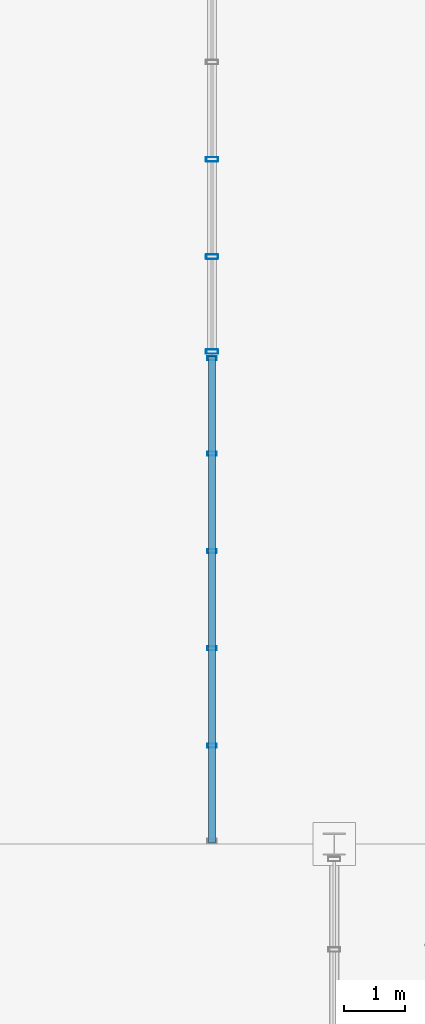
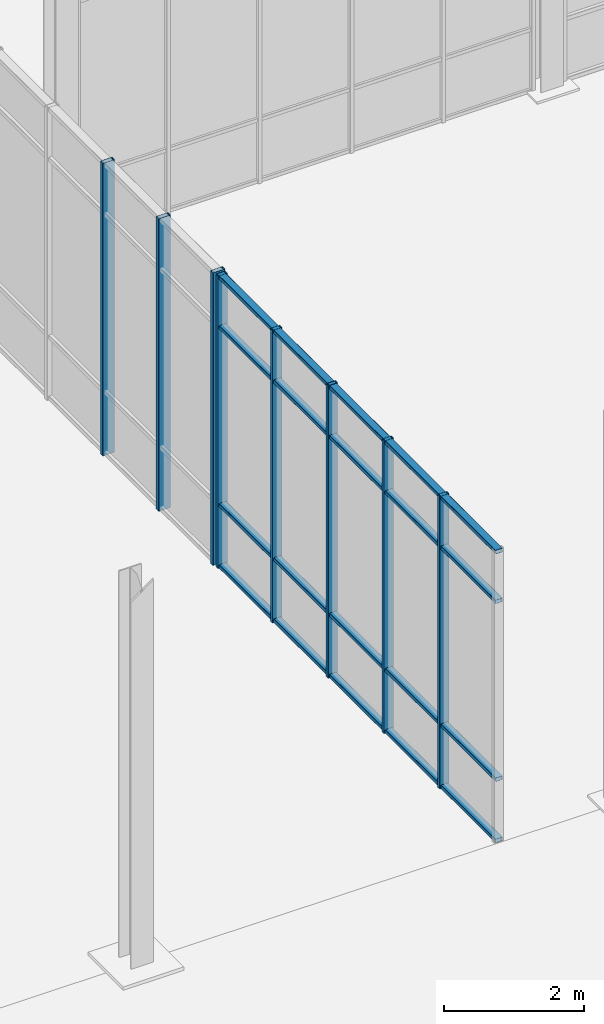
# One storey, part 62 of 140: 12 members, 2 elements without a shape of their own.
"""IFC4 building model written with IfcOpenShell, lengths in metres."""

from ifc_helpers import new_model, si_unit, direction, frame, origin, origin_2d, place, context, subcontext, project, spatial, hollow_rectangle, extrude, material, material_profile, profile_set, type_object, element, aggregate, save


model = new_model("IFC4")

# Units and contexts
model_context = context("Model", 3, precision=1e-05, world=origin(), true_north=direction((0.0, 1.0)))
body_context = subcontext(model_context, "Body", "Model", "MODEL_VIEW")
ifc_project = project(units=[si_unit("LENGTHUNIT", "METRE"), si_unit("AREAUNIT", "SQUARE_METRE"), si_unit("VOLUMEUNIT", "CUBIC_METRE"), si_unit("PLANEANGLEUNIT", "RADIAN"), si_unit("MASSUNIT", "GRAM", prefix="KILO")], contexts=[model_context])

# Site, building, storey
site_placement = place(None, origin())
site = spatial("IfcSite", under=ifc_project, at=site_placement, CompositionType="ELEMENT")
building_placement = place(site_placement, origin())
building = spatial("IfcBuilding", under=site, at=building_placement, Name="Verrall Gate Interchange", CompositionType="ELEMENT")
storey_placement = place(building_placement, origin())
storey = spatial("IfcBuildingStorey", under=building, at=storey_placement, Name="L01", CompositionType="ELEMENT", Elevation=0.0)

# Curtain wall, members
ifc_material_1 = material(Name="Thermally Broken Anodized Aluminium Curtain Wall Framing", Category="aluminium")
curtain_wall_type = type_object("IfcCurtainWallType", Name="CW-09 Unitized Curtain Wall 7960x5100", PredefinedType="NOTDEFINED", material=ifc_material_1)
curtain_wall_1_placement = place(storey_placement, origin())
curtain_wall_1 = element("IfcCurtainWall", 1, at=curtain_wall_1_placement, inside=storey, type_object=curtain_wall_type, Name="L01 Unitized Curtain Wall CW-L01-036", PredefinedType="NOTDEFINED")
ifc_material_2 = material(Name="Thermally Broken Anodized Aluminium Curtain Wall Framing", Category="aluminium")
ifc_material_profile_1 = material_profile(ifc_material_2, hollow_rectangle(XDim=0.06494140625, YDim=0.159912109375, WallThickness=0.00390625, InnerFilletRadius=0.00390625, OuterFilletRadius=0.008056640625, at=origin_2d()), Name="CWM160x65x4")
ifc_profile_set_1 = profile_set([ifc_material_profile_1], Name="Thermally Broken Anodized Aluminium Curtain Wall Framing")
member_type_1 = type_object("IfcMemberType", Name="CM-01 Curtain Mullion CWM160x65x4", PredefinedType="MULLION", material=ifc_profile_set_1)
member_1_placement = place(storey_placement, frame((58.0, 81.947509765625, 0.0), z_axis=(0.0, 0.0, 1.0), x_axis=(0.0, -1.0, 0.0)))
member_1 = element("IfcMember", 2, at=member_1_placement, type_object=member_type_1, Name="CW-L01-036 Mullion 1", PredefinedType="MULLION", context=body_context, shape_type="SweptSolid", body=[
    extrude(hollow_rectangle(XDim=0.06494140625, YDim=0.159912109375, WallThickness=0.00390625, InnerFilletRadius=0.00390625, OuterFilletRadius=0.008056640625, at=origin_2d()), origin(), (0.0, 0.0, 1.0), 5.10009765625),
])
member_2_placement = place(storey_placement, frame((58.0, 80.387939453125, 0.0), z_axis=(0.0, 0.0, 1.0), x_axis=(0.0, -1.0, 0.0)))
member_2 = element("IfcMember", 3, at=member_2_placement, type_object=member_type_1, Name="CW-L01-036 Mullion 2", PredefinedType="MULLION", context=body_context, shape_type="SweptSolid", body=[
    extrude(hollow_rectangle(XDim=0.06494140625, YDim=0.159912109375, WallThickness=0.00390625, InnerFilletRadius=0.00390625, OuterFilletRadius=0.008056640625, at=origin_2d()), origin(), (0.0, 0.0, 1.0), 5.10009765625),
])
member_3_placement = place(storey_placement, frame((58.0, 78.7958984375, 0.0), z_axis=(0.0, 0.0, 1.0), x_axis=(0.0, -1.0, 0.0)))
member_3 = element("IfcMember", 4, at=member_3_placement, type_object=member_type_1, Name="CW-L01-036 Mullion 3", PredefinedType="MULLION", context=body_context, shape_type="SweptSolid", body=[
    extrude(hollow_rectangle(XDim=0.06494140625, YDim=0.159912109375, WallThickness=0.00390625, InnerFilletRadius=0.00390625, OuterFilletRadius=0.008056640625, at=origin_2d()), origin(), (0.0, 0.0, 1.0), 5.10009765625),
])
member_4_placement = place(storey_placement, frame((58.0, 77.2041015625, 0.0), z_axis=(0.0, 0.0, 1.0), x_axis=(0.0, -1.0, 0.0)))
member_4 = element("IfcMember", 5, at=member_4_placement, type_object=member_type_1, Name="CW-L01-036 Mullion 4", PredefinedType="MULLION", context=body_context, shape_type="SweptSolid", body=[
    extrude(hollow_rectangle(XDim=0.06494140625, YDim=0.159912109375, WallThickness=0.00390625, InnerFilletRadius=0.00390625, OuterFilletRadius=0.008056640625, at=origin_2d()), origin(), (0.0, 0.0, 1.0), 5.10009765625),
])
member_5_placement = place(storey_placement, frame((58.0, 75.612060546875, 0.0), z_axis=(0.0, 0.0, 1.0), x_axis=(0.0, -1.0, 0.0)))
member_5 = element("IfcMember", 6, at=member_5_placement, type_object=member_type_1, Name="CW-L01-036 Mullion 5", PredefinedType="MULLION", context=body_context, shape_type="SweptSolid", body=[
    extrude(hollow_rectangle(XDim=0.06494140625, YDim=0.159912109375, WallThickness=0.00390625, InnerFilletRadius=0.00390625, OuterFilletRadius=0.008056640625, at=origin_2d()), origin(), (0.0, 0.0, 1.0), 5.10009765625),
])

curtain_wall_2_placement = place(storey_placement, origin())
curtain_wall_2 = element("IfcCurtainWall", 7, at=curtain_wall_2_placement, inside=storey, type_object=curtain_wall_type, Name="L01 Unitized Curtain Wall CW-L01-035", PredefinedType="NOTDEFINED")
ifc_material_3 = material(Name="Thermally Broken Anodized Aluminium Curtain Wall Framing", Category="aluminium")
ifc_material_profile_2 = material_profile(ifc_material_3, hollow_rectangle(XDim=0.074951171875, YDim=0.199951171875, WallThickness=0.0048828125, InnerFilletRadius=0.0048828125, OuterFilletRadius=0.010009765625, at=origin_2d()), Name="CWM200x75x5")
ifc_profile_set_2 = profile_set([ifc_material_profile_2], Name="Thermally Broken Anodized Aluminium Curtain Wall Framing")
member_type_2 = type_object("IfcMemberType", Name="CM-02 Curtain Mullion CWM200x75x5", PredefinedType="MULLION", material=ifc_profile_set_2)
member_6_placement = place(storey_placement, frame((58.0, 85.2041015625, 0.0), z_axis=(0.0, 0.0, 1.0), x_axis=(0.0, -1.0, 0.0)))
member_6 = element("IfcMember", 8, at=member_6_placement, type_object=member_type_2, Name="CW-L01-035 Mullion 4", PredefinedType="MULLION", context=body_context, shape_type="SweptSolid", body=[
    extrude(hollow_rectangle(XDim=0.074951171875, YDim=0.199951171875, WallThickness=0.0048828125, InnerFilletRadius=0.0048828125, OuterFilletRadius=0.010009765625, at=origin_2d()), origin(), (0.0, 0.0, 1.0), 5.10009765625),
])
member_7_placement = place(storey_placement, frame((58.0, 83.612060546875, 0.0), z_axis=(0.0, 0.0, 1.0), x_axis=(0.0, -1.0, 0.0)))
member_7 = element("IfcMember", 9, at=member_7_placement, type_object=member_type_2, Name="CW-L01-035 Mullion 5", PredefinedType="MULLION", context=body_context, shape_type="SweptSolid", body=[
    extrude(hollow_rectangle(XDim=0.074951171875, YDim=0.199951171875, WallThickness=0.0048828125, InnerFilletRadius=0.0048828125, OuterFilletRadius=0.010009765625, at=origin_2d()), origin(), (0.0, 0.0, 1.0), 5.10009765625),
])
member_8_placement = place(storey_placement, frame((58.0, 82.0576171875, 0.0), z_axis=(0.0, 0.0, 1.0), x_axis=(0.0, -1.0, 0.0)))
member_8 = element("IfcMember", 10, at=member_8_placement, type_object=member_type_2, Name="CW-L01-035 Mullion 6", PredefinedType="MULLION", context=body_context, shape_type="SweptSolid", body=[
    extrude(hollow_rectangle(XDim=0.074951171875, YDim=0.199951171875, WallThickness=0.0048828125, InnerFilletRadius=0.0048828125, OuterFilletRadius=0.010009765625, at=origin_2d()), origin(), (0.0, 0.0, 1.0), 5.10009765625),
])
aggregate(curtain_wall_2, [member_6, member_7, member_8])

# Member
ifc_material_4 = material(Name="Thermally Broken Anodized Aluminium Curtain Wall Framing", Category="aluminium")
ifc_material_profile_3 = material_profile(ifc_material_4, hollow_rectangle(XDim=0.1201171875, YDim=0.06494140625, WallThickness=0.00390625, InnerFilletRadius=0.00390625, OuterFilletRadius=0.008056640625, at=origin_2d()), Name="CWT120x65x4")
ifc_profile_set_3 = profile_set([ifc_material_profile_3], Name="Thermally Broken Anodized Aluminium Curtain Wall Framing")
member_type_3 = type_object("IfcMemberType", Name="CT-01 Curtain Transom CWT120x65x4", PredefinedType="USERDEFINED", material=ifc_profile_set_3)
member_9_placement = place(storey_placement, frame((58.0, 81.97998046875, 0.032470703125), z_axis=(0.0, -1.0, 0.0), x_axis=(1.0, 0.0, 0.0)))
member_9 = element("IfcMember", 11, at=member_9_placement, type_object=member_type_3, Name="CW-L01-036 Transom 1", ObjectType="TRANSOM", PredefinedType="USERDEFINED", context=body_context, shape_type="SweptSolid", body=[
    extrude(hollow_rectangle(XDim=0.1201171875, YDim=0.06494140625, WallThickness=0.00390625, InnerFilletRadius=0.00390625, OuterFilletRadius=0.008056640625, at=origin_2d()), origin(), (0.0, 0.0, 1.0), 7.9599609375),
])

member_10_placement = place(storey_placement, frame((58.0, 81.97998046875, 1.10009765625), z_axis=(0.0, -1.0, 0.0), x_axis=(1.0, 0.0, 0.0)))
member_10 = element("IfcMember", 12, at=member_10_placement, type_object=member_type_3, Name="CW-L01-036 Transom 2", ObjectType="TRANSOM", PredefinedType="USERDEFINED", context=body_context, shape_type="SweptSolid", body=[
    extrude(hollow_rectangle(XDim=0.1201171875, YDim=0.06494140625, WallThickness=0.00390625, InnerFilletRadius=0.00390625, OuterFilletRadius=0.008056640625, at=origin_2d()), origin(), (0.0, 0.0, 1.0), 7.9599609375),
])

member_11_placement = place(storey_placement, frame((58.0, 81.97998046875, 4.199951171875), z_axis=(0.0, -1.0, 0.0), x_axis=(1.0, 0.0, 0.0)))
member_11 = element("IfcMember", 13, at=member_11_placement, type_object=member_type_3, Name="CW-L01-036 Transom 3", ObjectType="TRANSOM", PredefinedType="USERDEFINED", context=body_context, shape_type="SweptSolid", body=[
    extrude(hollow_rectangle(XDim=0.1201171875, YDim=0.06494140625, WallThickness=0.00390625, InnerFilletRadius=0.00390625, OuterFilletRadius=0.008056640625, at=origin_2d()), origin(), (0.0, 0.0, 1.0), 7.9599609375),
])

member_12_placement = place(storey_placement, frame((58.0, 81.97998046875, 5.0673828125), z_axis=(0.0, -1.0, 0.0), x_axis=(1.0, 0.0, 0.0)))
member_12 = element("IfcMember", 14, at=member_12_placement, type_object=member_type_3, Name="CW-L01-036 Transom 4", ObjectType="TRANSOM", PredefinedType="USERDEFINED", context=body_context, shape_type="SweptSolid", body=[
    extrude(hollow_rectangle(XDim=0.1201171875, YDim=0.06494140625, WallThickness=0.00390625, InnerFilletRadius=0.00390625, OuterFilletRadius=0.008056640625, at=origin_2d()), origin(), (0.0, 0.0, 1.0), 7.9599609375),
])

aggregate(curtain_wall_1, [member_1, member_2, member_3, member_4, member_5, member_9, member_10, member_11, member_12])

save(model, "model.ifc")
